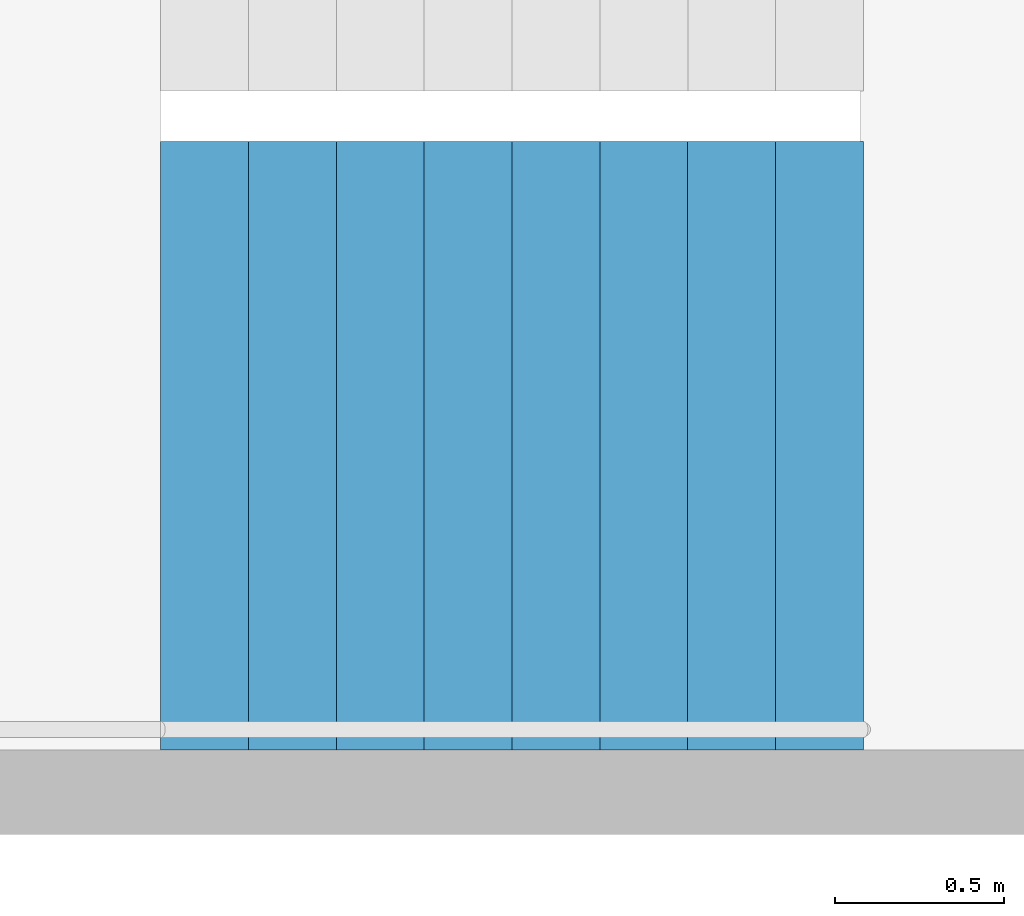
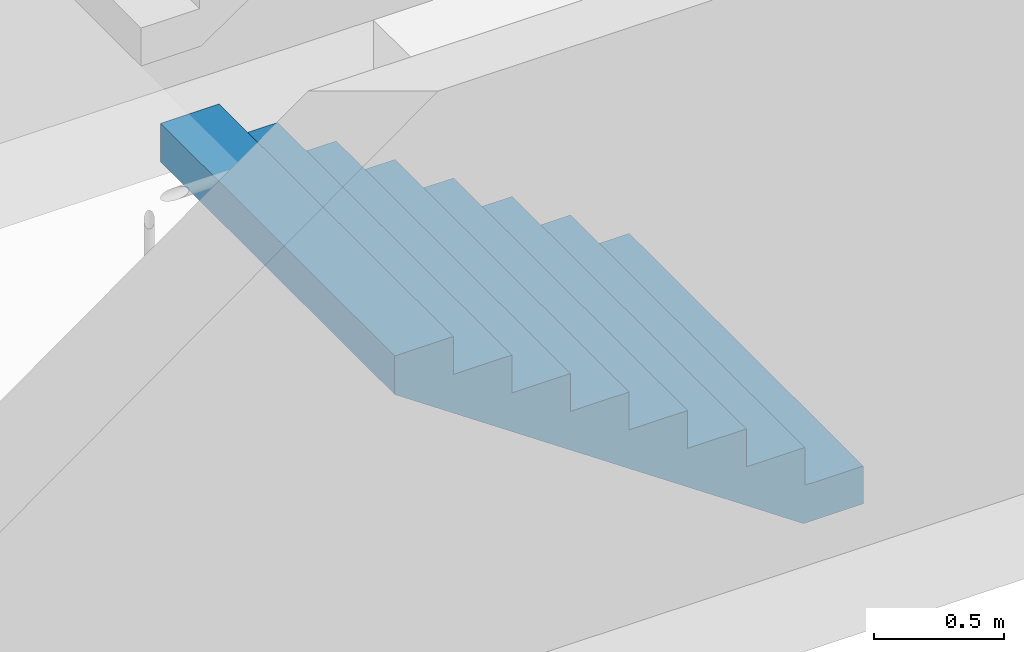
# One storey, part 26 of 28: 1 stair flight, 1 element without a shape of its own.
"""IFC4 building model written with IfcOpenShell, lengths in metres."""

from ifc_helpers import new_model, si_unit, direction, frame, origin, place, context, subcontext, project, spatial, triangles, material, type_object, element, aggregate, save


model = new_model("IFC4")

# Units and contexts
model_context = context("Model", 3, precision=1e-05, world=origin(), true_north=direction((0.0, 1.0)))
body_context = subcontext(model_context, "Body", "Model", "MODEL_VIEW")
ifc_project = project(units=[si_unit("LENGTHUNIT", "METRE"), si_unit("AREAUNIT", "SQUARE_METRE"), si_unit("VOLUMEUNIT", "CUBIC_METRE"), si_unit("PLANEANGLEUNIT", "RADIAN"), si_unit("MASSUNIT", "GRAM", prefix="KILO")], contexts=[model_context])

# Site, building, storey
site_placement = place(None, origin())
site = spatial("IfcSite", under=ifc_project, at=site_placement, CompositionType="ELEMENT")
building_placement = place(site_placement, origin())
building = spatial("IfcBuilding", under=site, at=building_placement, Name="Hakoniwa Tower and Hamabe Station Hall", CompositionType="ELEMENT")
storey_placement = place(building_placement, frame((0.0, 0.0, 35.800048828125)))
storey = spatial("IfcBuildingStorey", under=building, at=storey_placement, Name="L09", CompositionType="ELEMENT", Elevation=35.800048828125)

# Stair, stair flight
ifc_material_1 = material(Name="Concrete C40", Category="concrete")
stair_type = type_object("IfcStairType", Name="ESCAPE STAIR 1800", PredefinedType="HALF_TURN_STAIR", material=ifc_material_1)
stair_placement = place(storey_placement, origin())
stair = element("IfcStair", 1, at=stair_placement, inside=storey, type_object=stair_type, Name="Escape stair ST-3 L09", PredefinedType="HALF_TURN_STAIR")
ifc_material_2 = material(Name="Concrete C40", Category="concrete")
stair_flight_type = type_object("IfcStairFlightType", Name="STAIR FLIGHT 1800", PredefinedType="STRAIGHT", material=ifc_material_2)
stair_flight_placement = place(storey_placement, frame((24.39990234375, 4.64990234375, 0.0), z_axis=(0.0, 0.0, 1.0), x_axis=(-1.0, 0.0, 0.0)))
stair_flight = element("IfcStairFlight", 2, at=stair_flight_placement, type_object=stair_flight_type, Name="ST-3 flight 1", NumberOfRisers=9, NumberOfTreads=8, PredefinedType="STRAIGHT", RiserHeight=0.177777778, TreadLength=0.26, context=body_context, shape_type="Tessellation", body=[
    triangles([(0.0, 0.89990234375, 0.0), (0.260009765625, 0.89990234375, 0.0), (0.265625, 0.89990234375, 0.0), (0.52001953125, 0.89990234375, 0.174072265625), (0.780029296875, 0.89990234375, 0.351806640625), (1.0400390625, 0.89990234375, 0.529541015625), (1.300048828125, 0.89990234375, 0.707275390625), (1.56005859375, 0.89990234375, 0.885009765625), (1.820068359375, 0.89990234375, 1.062744140625), (2.080078125, 0.89990234375, 1.24072265625), (2.080078125, 0.89990234375, 1.422119140625), (1.820068359375, 0.89990234375, 1.422119140625), (1.820068359375, 0.89990234375, 1.244384765625), (1.56005859375, 0.89990234375, 1.244384765625), (1.56005859375, 0.89990234375, 1.066650390625), (1.300048828125, 0.89990234375, 1.066650390625), (1.300048828125, 0.89990234375, 0.888916015625), (1.0400390625, 0.89990234375, 0.888916015625), (1.0400390625, 0.89990234375, 0.711181640625), (0.780029296875, 0.89990234375, 0.711181640625), (0.780029296875, 0.89990234375, 0.533447265625), (0.52001953125, 0.89990234375, 0.533447265625), (0.52001953125, 0.89990234375, 0.35546875), (0.265625, 0.89990234375, 0.35546875), (0.260009765625, 0.89990234375, 0.35546875), (0.260009765625, 0.89990234375, 0.177734375), (0.0, 0.89990234375, 0.177734375), (0.0, 0.06005859375, 0.0), (0.260009765625, 0.06005859375, 0.0), (0.265625, 0.06005859375, 0.0), (0.52001953125, 0.06005859375, 0.174072265625), (0.780029296875, 0.06005859375, 0.351806640625), (1.0400390625, 0.06005859375, 0.529541015625), (1.300048828125, 0.06005859375, 0.707275390625), (1.56005859375, 0.06005859375, 0.885009765625), (1.820068359375, 0.06005859375, 1.062744140625), (2.080078125, 0.06005859375, 1.24072265625), (2.080078125, 0.06005859375, 1.422119140625), (1.820068359375, 0.06005859375, 1.422119140625), (1.820068359375, 0.06005859375, 1.244384765625), (1.56005859375, 0.06005859375, 1.244384765625), (1.56005859375, 0.06005859375, 1.066650390625), (1.300048828125, 0.06005859375, 1.066650390625), (1.300048828125, 0.06005859375, 0.888916015625), (1.0400390625, 0.06005859375, 0.888916015625), (1.0400390625, 0.06005859375, 0.711181640625), (0.780029296875, 0.06005859375, 0.711181640625), (0.780029296875, 0.06005859375, 0.533447265625), (0.52001953125, 0.06005859375, 0.533447265625), (0.52001953125, 0.06005859375, 0.35546875), (0.265625, 0.06005859375, 0.35546875), (0.260009765625, 0.06005859375, 0.35546875), (0.260009765625, 0.06005859375, 0.177734375), (0.0, 0.06005859375, 0.177734375), (0.0, 0.04296875, 0.0), (0.260009765625, 0.04296875, 0.0), (0.265625, 0.04296875, 0.0), (0.52001953125, 0.04296875, 0.174072265625), (0.780029296875, 0.04296875, 0.351806640625), (1.0400390625, 0.04296875, 0.529541015625), (1.300048828125, 0.04296875, 0.707275390625), (1.56005859375, 0.04296875, 0.885009765625), (1.820068359375, 0.04296875, 1.062744140625), (2.080078125, 0.04296875, 1.24072265625), (2.080078125, 0.04296875, 1.422119140625), (1.820068359375, 0.04296875, 1.422119140625), (1.820068359375, 0.04296875, 1.244384765625), (1.56005859375, 0.04296875, 1.244384765625), (1.56005859375, 0.04296875, 1.066650390625), (1.300048828125, 0.04296875, 1.066650390625), (1.300048828125, 0.04296875, 0.888916015625), (1.0400390625, 0.04296875, 0.888916015625), (1.0400390625, 0.04296875, 0.711181640625), (0.780029296875, 0.04296875, 0.711181640625), (0.780029296875, 0.04296875, 0.533447265625), (0.52001953125, 0.04296875, 0.533447265625), (0.52001953125, 0.04296875, 0.35546875), (0.265625, 0.04296875, 0.35546875), (0.260009765625, 0.04296875, 0.35546875), (0.260009765625, 0.04296875, 0.177734375), (0.0, 0.04296875, 0.177734375), (0.0, 0.025634765625, 0.0), (0.260009765625, 0.025634765625, 0.0), (0.265625, 0.025634765625, 0.0), (0.52001953125, 0.025634765625, 0.174072265625), (0.780029296875, 0.025634765625, 0.351806640625), (1.0400390625, 0.025634765625, 0.529541015625), (1.300048828125, 0.025634765625, 0.707275390625), (1.56005859375, 0.025634765625, 0.885009765625), (1.820068359375, 0.025634765625, 1.062744140625), (2.080078125, 0.025634765625, 1.24072265625), (2.080078125, 0.025634765625, 1.422119140625), (1.820068359375, 0.025634765625, 1.422119140625), (1.820068359375, 0.025634765625, 1.244384765625), (1.56005859375, 0.025634765625, 1.244384765625), (1.56005859375, 0.025634765625, 1.066650390625), (1.300048828125, 0.025634765625, 1.066650390625), (1.300048828125, 0.025634765625, 0.888916015625), (1.0400390625, 0.025634765625, 0.888916015625), (1.0400390625, 0.025634765625, 0.711181640625), (0.780029296875, 0.025634765625, 0.711181640625), (0.780029296875, 0.025634765625, 0.533447265625), (0.52001953125, 0.025634765625, 0.533447265625), (0.52001953125, 0.025634765625, 0.35546875), (0.265625, 0.025634765625, 0.35546875), (0.260009765625, 0.025634765625, 0.35546875), (0.260009765625, 0.025634765625, 0.177734375), (0.0, 0.025634765625, 0.177734375), (0.0, 0.008544921875, 0.0), (0.260009765625, 0.008544921875, 0.0), (0.265625, 0.008544921875, 0.0), (0.52001953125, 0.008544921875, 0.174072265625), (0.780029296875, 0.008544921875, 0.351806640625), (1.0400390625, 0.008544921875, 0.529541015625), (1.300048828125, 0.008544921875, 0.707275390625), (1.56005859375, 0.008544921875, 0.885009765625), (1.820068359375, 0.008544921875, 1.062744140625), (2.080078125, 0.008544921875, 1.24072265625), (2.080078125, 0.008544921875, 1.422119140625), (1.820068359375, 0.008544921875, 1.422119140625), (1.820068359375, 0.008544921875, 1.244384765625), (1.56005859375, 0.008544921875, 1.244384765625), (1.56005859375, 0.008544921875, 1.066650390625), (1.300048828125, 0.008544921875, 1.066650390625), (1.300048828125, 0.008544921875, 0.888916015625), (1.0400390625, 0.008544921875, 0.888916015625), (1.0400390625, 0.008544921875, 0.711181640625), (0.780029296875, 0.008544921875, 0.711181640625), (0.780029296875, 0.008544921875, 0.533447265625), (0.52001953125, 0.008544921875, 0.533447265625), (0.52001953125, 0.008544921875, 0.35546875), (0.265625, 0.008544921875, 0.35546875), (0.260009765625, 0.008544921875, 0.35546875), (0.260009765625, 0.008544921875, 0.177734375), (0.0, 0.008544921875, 0.177734375), (0.0, -0.008544921875, 0.0), (0.260009765625, -0.008544921875, 0.0), (0.265625, -0.008544921875, 0.0), (0.52001953125, -0.008544921875, 0.174072265625), (0.780029296875, -0.008544921875, 0.351806640625), (1.0400390625, -0.008544921875, 0.529541015625), (1.300048828125, -0.008544921875, 0.707275390625), (1.56005859375, -0.008544921875, 0.885009765625), (1.820068359375, -0.008544921875, 1.062744140625), (2.080078125, -0.008544921875, 1.24072265625), (2.080078125, -0.008544921875, 1.422119140625), (1.820068359375, -0.008544921875, 1.422119140625), (1.820068359375, -0.008544921875, 1.244384765625), (1.56005859375, -0.008544921875, 1.244384765625), (1.56005859375, -0.008544921875, 1.066650390625), (1.300048828125, -0.008544921875, 1.066650390625), (1.300048828125, -0.008544921875, 0.888916015625), (1.0400390625, -0.008544921875, 0.888916015625), (1.0400390625, -0.008544921875, 0.711181640625), (0.780029296875, -0.008544921875, 0.711181640625), (0.780029296875, -0.008544921875, 0.533447265625), (0.52001953125, -0.008544921875, 0.533447265625), (0.52001953125, -0.008544921875, 0.35546875), (0.265625, -0.008544921875, 0.35546875), (0.260009765625, -0.008544921875, 0.35546875), (0.260009765625, -0.008544921875, 0.177734375), (0.0, -0.008544921875, 0.177734375), (0.0, -0.025634765625, 0.0), (0.260009765625, -0.025634765625, 0.0), (0.265625, -0.025634765625, 0.0), (0.52001953125, -0.025634765625, 0.174072265625), (0.780029296875, -0.025634765625, 0.351806640625), (1.0400390625, -0.025634765625, 0.529541015625), (1.300048828125, -0.025634765625, 0.707275390625), (1.56005859375, -0.025634765625, 0.885009765625), (1.820068359375, -0.025634765625, 1.062744140625), (2.080078125, -0.025634765625, 1.24072265625), (2.080078125, -0.025634765625, 1.422119140625), (1.820068359375, -0.025634765625, 1.422119140625), (1.820068359375, -0.025634765625, 1.244384765625), (1.56005859375, -0.025634765625, 1.244384765625), (1.56005859375, -0.025634765625, 1.066650390625), (1.300048828125, -0.025634765625, 1.066650390625), (1.300048828125, -0.025634765625, 0.888916015625), (1.0400390625, -0.025634765625, 0.888916015625), (1.0400390625, -0.025634765625, 0.711181640625), (0.780029296875, -0.025634765625, 0.711181640625), (0.780029296875, -0.025634765625, 0.533447265625), (0.52001953125, -0.025634765625, 0.533447265625), (0.52001953125, -0.025634765625, 0.35546875), (0.265625, -0.025634765625, 0.35546875), (0.260009765625, -0.025634765625, 0.35546875), (0.260009765625, -0.025634765625, 0.177734375), (0.0, -0.025634765625, 0.177734375), (0.0, -0.04296875, 0.0), (0.260009765625, -0.04296875, 0.0), (0.265625, -0.04296875, 0.0), (0.52001953125, -0.04296875, 0.174072265625), (0.780029296875, -0.04296875, 0.351806640625), (1.0400390625, -0.04296875, 0.529541015625), (1.300048828125, -0.04296875, 0.707275390625), (1.56005859375, -0.04296875, 0.885009765625), (1.820068359375, -0.04296875, 1.062744140625), (2.080078125, -0.04296875, 1.24072265625), (2.080078125, -0.04296875, 1.422119140625), (1.820068359375, -0.04296875, 1.422119140625), (1.820068359375, -0.04296875, 1.244384765625), (1.56005859375, -0.04296875, 1.244384765625), (1.56005859375, -0.04296875, 1.066650390625), (1.300048828125, -0.04296875, 1.066650390625), (1.300048828125, -0.04296875, 0.888916015625), (1.0400390625, -0.04296875, 0.888916015625), (1.0400390625, -0.04296875, 0.711181640625), (0.780029296875, -0.04296875, 0.711181640625), (0.780029296875, -0.04296875, 0.533447265625), (0.52001953125, -0.04296875, 0.533447265625), (0.52001953125, -0.04296875, 0.35546875), (0.265625, -0.04296875, 0.35546875), (0.260009765625, -0.04296875, 0.35546875), (0.260009765625, -0.04296875, 0.177734375), (0.0, -0.04296875, 0.177734375), (0.0, -0.06005859375, 0.0), (0.260009765625, -0.06005859375, 0.0), (0.265625, -0.06005859375, 0.0), (0.52001953125, -0.06005859375, 0.174072265625), (0.780029296875, -0.06005859375, 0.351806640625), (1.0400390625, -0.06005859375, 0.529541015625), (1.300048828125, -0.06005859375, 0.707275390625), (1.56005859375, -0.06005859375, 0.885009765625), (1.820068359375, -0.06005859375, 1.062744140625), (2.080078125, -0.06005859375, 1.24072265625), (2.080078125, -0.06005859375, 1.422119140625), (1.820068359375, -0.06005859375, 1.422119140625), (1.820068359375, -0.06005859375, 1.244384765625), (1.56005859375, -0.06005859375, 1.244384765625), (1.56005859375, -0.06005859375, 1.066650390625), (1.300048828125, -0.06005859375, 1.066650390625), (1.300048828125, -0.06005859375, 0.888916015625), (1.0400390625, -0.06005859375, 0.888916015625), (1.0400390625, -0.06005859375, 0.711181640625), (0.780029296875, -0.06005859375, 0.711181640625), (0.780029296875, -0.06005859375, 0.533447265625), (0.52001953125, -0.06005859375, 0.533447265625), (0.52001953125, -0.06005859375, 0.35546875), (0.265625, -0.06005859375, 0.35546875), (0.260009765625, -0.06005859375, 0.35546875), (0.260009765625, -0.06005859375, 0.177734375), (0.0, -0.06005859375, 0.177734375), (0.0, -0.89990234375, 0.0), (0.260009765625, -0.89990234375, 0.0), (0.265625, -0.89990234375, 0.0), (0.52001953125, -0.89990234375, 0.174072265625), (0.780029296875, -0.89990234375, 0.351806640625), (1.0400390625, -0.89990234375, 0.529541015625), (1.300048828125, -0.89990234375, 0.707275390625), (1.56005859375, -0.89990234375, 0.885009765625), (1.820068359375, -0.89990234375, 1.062744140625), (2.080078125, -0.89990234375, 1.24072265625), (2.080078125, -0.89990234375, 1.422119140625), (1.820068359375, -0.89990234375, 1.422119140625), (1.820068359375, -0.89990234375, 1.244384765625), (1.56005859375, -0.89990234375, 1.244384765625), (1.56005859375, -0.89990234375, 1.066650390625), (1.300048828125, -0.89990234375, 1.066650390625), (1.300048828125, -0.89990234375, 0.888916015625), (1.0400390625, -0.89990234375, 0.888916015625), (1.0400390625, -0.89990234375, 0.711181640625), (0.780029296875, -0.89990234375, 0.711181640625), (0.780029296875, -0.89990234375, 0.533447265625), (0.52001953125, -0.89990234375, 0.533447265625), (0.52001953125, -0.89990234375, 0.35546875), (0.265625, -0.89990234375, 0.35546875), (0.260009765625, -0.89990234375, 0.35546875), (0.260009765625, -0.89990234375, 0.177734375), (0.0, -0.89990234375, 0.177734375)], [[2, 27, 26], [245, 269, 270], [2, 1, 27], [245, 270, 244], [3, 25, 24], [246, 267, 268], [3, 26, 25], [246, 268, 269], [3, 2, 26], [246, 269, 245], [4, 24, 23], [247, 266, 267], [4, 3, 24], [247, 267, 246], [5, 22, 21], [248, 264, 265], [5, 23, 22], [248, 265, 266], [5, 4, 23], [248, 266, 247], [6, 20, 19], [249, 262, 263], [6, 21, 20], [249, 263, 264], [6, 5, 21], [249, 264, 248], [7, 18, 17], [250, 260, 261], [7, 19, 18], [250, 261, 262], [7, 6, 19], [250, 262, 249], [8, 16, 15], [251, 258, 259], [8, 17, 16], [251, 259, 260], [8, 7, 17], [251, 260, 250], [9, 14, 13], [252, 256, 257], [9, 15, 14], [252, 257, 258], [9, 8, 15], [252, 258, 251], [10, 12, 11], [253, 254, 255], [10, 13, 12], [253, 255, 256], [10, 9, 13], [253, 256, 252], [1, 2, 29], [1, 29, 28], [28, 29, 56], [28, 56, 55], [55, 56, 83], [55, 83, 82], [82, 83, 110], [82, 110, 109], [109, 110, 137], [109, 137, 136], [136, 137, 164], [136, 164, 163], [163, 164, 191], [163, 191, 190], [190, 191, 218], [190, 218, 217], [217, 218, 245], [217, 245, 244], [2, 3, 30], [2, 30, 29], [29, 30, 57], [29, 57, 56], [56, 57, 84], [56, 84, 83], [83, 84, 111], [83, 111, 110], [110, 111, 138], [110, 138, 137], [137, 138, 165], [137, 165, 164], [164, 165, 192], [164, 192, 191], [191, 192, 219], [191, 219, 218], [218, 219, 246], [218, 246, 245], [3, 4, 31], [3, 31, 30], [30, 31, 58], [30, 58, 57], [57, 58, 85], [57, 85, 84], [84, 85, 112], [84, 112, 111], [111, 112, 139], [111, 139, 138], [138, 139, 166], [138, 166, 165], [165, 166, 193], [165, 193, 192], [192, 193, 220], [192, 220, 219], [219, 220, 247], [219, 247, 246], [4, 5, 32], [4, 32, 31], [31, 32, 59], [31, 59, 58], [58, 59, 86], [58, 86, 85], [85, 86, 113], [85, 113, 112], [112, 113, 140], [112, 140, 139], [139, 140, 167], [139, 167, 166], [166, 167, 194], [166, 194, 193], [193, 194, 221], [193, 221, 220], [220, 221, 248], [220, 248, 247], [5, 6, 33], [5, 33, 32], [32, 33, 60], [32, 60, 59], [59, 60, 87], [59, 87, 86], [86, 87, 114], [86, 114, 113], [113, 114, 141], [113, 141, 140], [140, 141, 168], [140, 168, 167], [167, 168, 195], [167, 195, 194], [194, 195, 222], [194, 222, 221], [221, 222, 249], [221, 249, 248], [6, 7, 34], [6, 34, 33], [33, 34, 61], [33, 61, 60], [60, 61, 88], [60, 88, 87], [87, 88, 115], [87, 115, 114], [114, 115, 142], [114, 142, 141], [141, 142, 169], [141, 169, 168], [168, 169, 196], [168, 196, 195], [195, 196, 223], [195, 223, 222], [222, 223, 250], [222, 250, 249], [7, 8, 35], [7, 35, 34], [34, 35, 62], [34, 62, 61], [61, 62, 89], [61, 89, 88], [88, 89, 116], [88, 116, 115], [115, 116, 143], [115, 143, 142], [142, 143, 170], [142, 170, 169], [169, 170, 197], [169, 197, 196], [196, 197, 224], [196, 224, 223], [223, 224, 251], [223, 251, 250], [8, 9, 36], [8, 36, 35], [35, 36, 63], [35, 63, 62], [62, 63, 90], [62, 90, 89], [89, 90, 117], [89, 117, 116], [116, 117, 144], [116, 144, 143], [143, 144, 171], [143, 171, 170], [170, 171, 198], [170, 198, 197], [197, 198, 225], [197, 225, 224], [224, 225, 252], [224, 252, 251], [9, 10, 37], [9, 37, 36], [36, 37, 64], [36, 64, 63], [63, 64, 91], [63, 91, 90], [90, 91, 118], [90, 118, 117], [117, 118, 145], [117, 145, 144], [144, 145, 172], [144, 172, 171], [171, 172, 199], [171, 199, 198], [198, 199, 226], [198, 226, 225], [225, 226, 253], [225, 253, 252], [10, 11, 38], [10, 38, 37], [37, 38, 65], [37, 65, 64], [64, 65, 92], [64, 92, 91], [91, 92, 119], [91, 119, 118], [118, 119, 146], [118, 146, 145], [145, 146, 173], [145, 173, 172], [172, 173, 200], [172, 200, 199], [199, 200, 227], [199, 227, 226], [226, 227, 254], [226, 254, 253], [11, 12, 39], [11, 39, 38], [38, 39, 66], [38, 66, 65], [65, 66, 93], [65, 93, 92], [92, 93, 120], [92, 120, 119], [119, 120, 147], [119, 147, 146], [146, 147, 174], [146, 174, 173], [173, 174, 201], [173, 201, 200], [200, 201, 228], [200, 228, 227], [227, 228, 255], [227, 255, 254], [12, 13, 40], [12, 40, 39], [39, 40, 67], [39, 67, 66], [66, 67, 94], [66, 94, 93], [93, 94, 121], [93, 121, 120], [120, 121, 148], [120, 148, 147], [147, 148, 175], [147, 175, 174], [174, 175, 202], [174, 202, 201], [201, 202, 229], [201, 229, 228], [228, 229, 256], [228, 256, 255], [13, 14, 41], [13, 41, 40], [40, 41, 68], [40, 68, 67], [67, 68, 95], [67, 95, 94], [94, 95, 122], [94, 122, 121], [121, 122, 149], [121, 149, 148], [148, 149, 176], [148, 176, 175], [175, 176, 203], [175, 203, 202], [202, 203, 230], [202, 230, 229], [229, 230, 257], [229, 257, 256], [14, 15, 42], [14, 42, 41], [41, 42, 69], [41, 69, 68], [68, 69, 96], [68, 96, 95], [95, 96, 123], [95, 123, 122], [122, 123, 150], [122, 150, 149], [149, 150, 177], [149, 177, 176], [176, 177, 204], [176, 204, 203], [203, 204, 231], [203, 231, 230], [230, 231, 258], [230, 258, 257], [15, 16, 43], [15, 43, 42], [42, 43, 70], [42, 70, 69], [69, 70, 97], [69, 97, 96], [96, 97, 124], [96, 124, 123], [123, 124, 151], [123, 151, 150], [150, 151, 178], [150, 178, 177], [177, 178, 205], [177, 205, 204], [204, 205, 232], [204, 232, 231], [231, 232, 259], [231, 259, 258], [16, 17, 44], [16, 44, 43], [43, 44, 71], [43, 71, 70], [70, 71, 98], [70, 98, 97], [97, 98, 125], [97, 125, 124], [124, 125, 152], [124, 152, 151], [151, 152, 179], [151, 179, 178], [178, 179, 206], [178, 206, 205], [205, 206, 233], [205, 233, 232], [232, 233, 260], [232, 260, 259], [17, 18, 45], [17, 45, 44], [44, 45, 72], [44, 72, 71], [71, 72, 99], [71, 99, 98], [98, 99, 126], [98, 126, 125], [125, 126, 153], [125, 153, 152], [152, 153, 180], [152, 180, 179], [179, 180, 207], [179, 207, 206], [206, 207, 234], [206, 234, 233], [233, 234, 261], [233, 261, 260], [18, 19, 46], [18, 46, 45], [45, 46, 73], [45, 73, 72], [72, 73, 100], [72, 100, 99], [99, 100, 127], [99, 127, 126], [126, 127, 154], [126, 154, 153], [153, 154, 181], [153, 181, 180], [180, 181, 208], [180, 208, 207], [207, 208, 235], [207, 235, 234], [234, 235, 262], [234, 262, 261], [19, 20, 47], [19, 47, 46], [46, 47, 74], [46, 74, 73], [73, 74, 101], [73, 101, 100], [100, 101, 128], [100, 128, 127], [127, 128, 155], [127, 155, 154], [154, 155, 182], [154, 182, 181], [181, 182, 209], [181, 209, 208], [208, 209, 236], [208, 236, 235], [235, 236, 263], [235, 263, 262], [20, 21, 48], [20, 48, 47], [47, 48, 75], [47, 75, 74], [74, 75, 102], [74, 102, 101], [101, 102, 129], [101, 129, 128], [128, 129, 156], [128, 156, 155], [155, 156, 183], [155, 183, 182], [182, 183, 210], [182, 210, 209], [209, 210, 237], [209, 237, 236], [236, 237, 264], [236, 264, 263], [21, 22, 49], [21, 49, 48], [48, 49, 76], [48, 76, 75], [75, 76, 103], [75, 103, 102], [102, 103, 130], [102, 130, 129], [129, 130, 157], [129, 157, 156], [156, 157, 184], [156, 184, 183], [183, 184, 211], [183, 211, 210], [210, 211, 238], [210, 238, 237], [237, 238, 265], [237, 265, 264], [22, 23, 50], [22, 50, 49], [49, 50, 77], [49, 77, 76], [76, 77, 104], [76, 104, 103], [103, 104, 131], [103, 131, 130], [130, 131, 158], [130, 158, 157], [157, 158, 185], [157, 185, 184], [184, 185, 212], [184, 212, 211], [211, 212, 239], [211, 239, 238], [238, 239, 266], [238, 266, 265], [23, 24, 51], [23, 51, 50], [50, 51, 78], [50, 78, 77], [77, 78, 105], [77, 105, 104], [104, 105, 132], [104, 132, 131], [131, 132, 159], [131, 159, 158], [158, 159, 186], [158, 186, 185], [185, 186, 213], [185, 213, 212], [212, 213, 240], [212, 240, 239], [239, 240, 267], [239, 267, 266], [24, 25, 52], [24, 52, 51], [51, 52, 79], [51, 79, 78], [78, 79, 106], [78, 106, 105], [105, 106, 133], [105, 133, 132], [132, 133, 160], [132, 160, 159], [159, 160, 187], [159, 187, 186], [186, 187, 214], [186, 214, 213], [213, 214, 241], [213, 241, 240], [240, 241, 268], [240, 268, 267], [25, 26, 53], [25, 53, 52], [52, 53, 80], [52, 80, 79], [79, 80, 107], [79, 107, 106], [106, 107, 134], [106, 134, 133], [133, 134, 161], [133, 161, 160], [160, 161, 188], [160, 188, 187], [187, 188, 215], [187, 215, 214], [214, 215, 242], [214, 242, 241], [241, 242, 269], [241, 269, 268], [26, 27, 54], [26, 54, 53], [53, 54, 81], [53, 81, 80], [80, 81, 108], [80, 108, 107], [107, 108, 135], [107, 135, 134], [134, 135, 162], [134, 162, 161], [161, 162, 189], [161, 189, 188], [188, 189, 216], [188, 216, 215], [215, 216, 243], [215, 243, 242], [242, 243, 270], [242, 270, 269], [27, 1, 28], [27, 28, 54], [54, 28, 55], [54, 55, 81], [81, 55, 82], [81, 82, 108], [108, 82, 109], [108, 109, 135], [135, 109, 136], [135, 136, 162], [162, 136, 163], [162, 163, 189], [189, 163, 190], [189, 190, 216], [216, 190, 217], [216, 217, 243], [243, 217, 244], [243, 244, 270]], closed=True),
])
aggregate(stair, [stair_flight])

save(model, "model.ifc")
